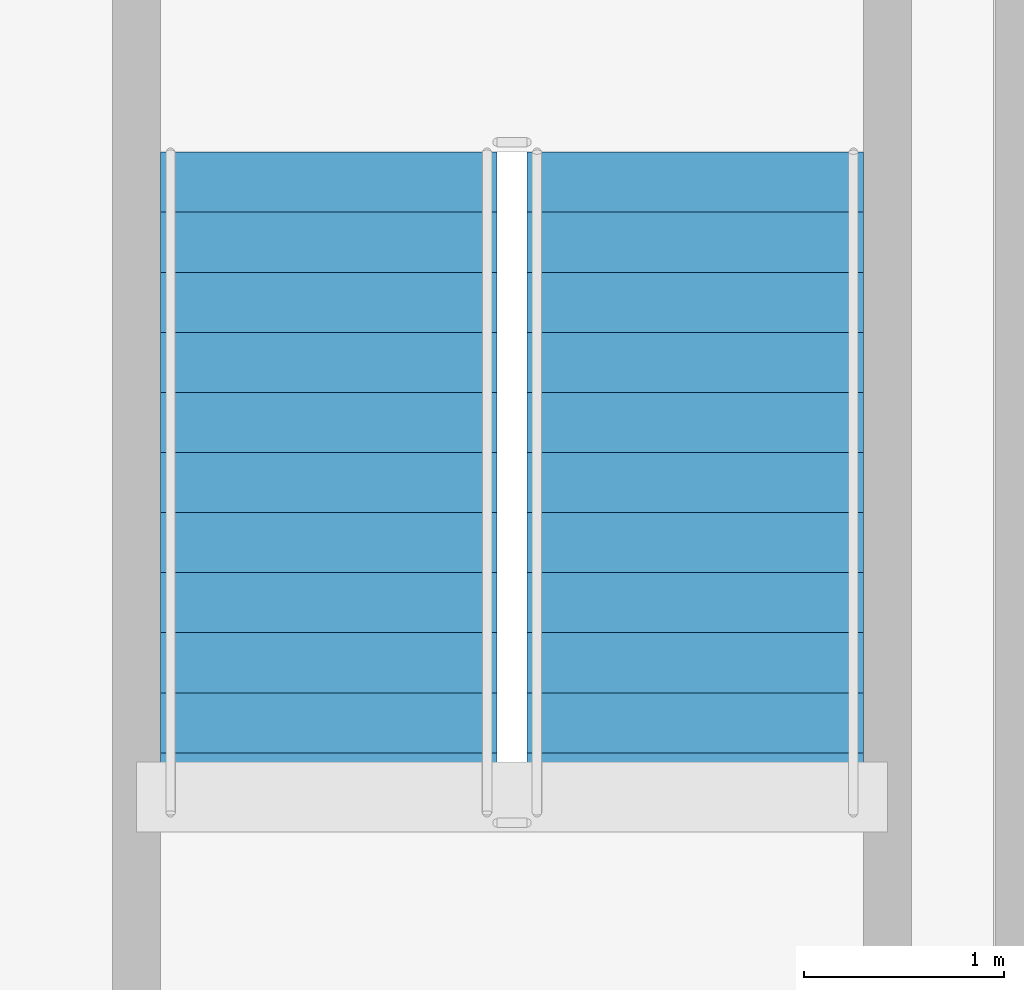
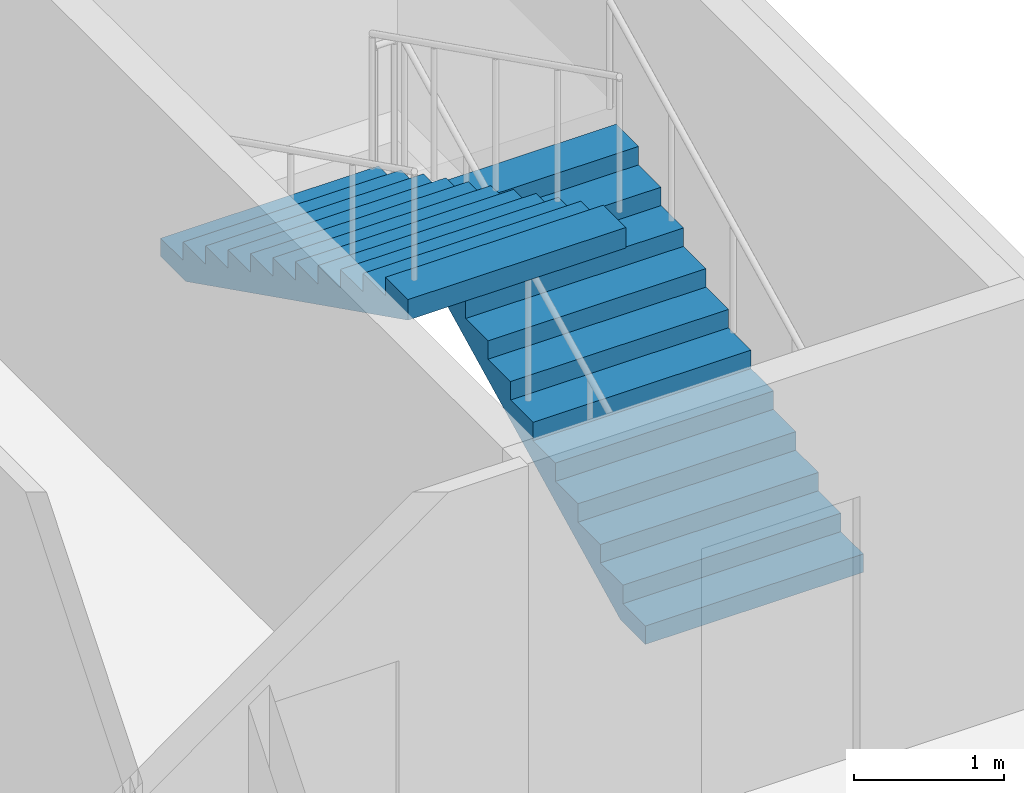
# One storey, part 14 of 16: 2 stair flights, 1 element without a shape of its own.
"""IFC4 building model written with IfcOpenShell, lengths in metres."""

from ifc_helpers import new_model, si_unit, direction, frame, origin, place, context, subcontext, project, spatial, polyline, outline, extrude, material, type_object, element, aggregate, save


model = new_model("IFC4")

# Units and contexts
model_context = context("Model", 3, precision=1e-05, world=origin(), true_north=direction((0.0, 1.0)))
body_context = subcontext(model_context, "Body", "Model", "MODEL_VIEW")
ifc_project = project(units=[si_unit("LENGTHUNIT", "METRE"), si_unit("AREAUNIT", "SQUARE_METRE"), si_unit("VOLUMEUNIT", "CUBIC_METRE"), si_unit("PLANEANGLEUNIT", "RADIAN"), si_unit("MASSUNIT", "GRAM", prefix="KILO")], contexts=[model_context])

# Site, building, storey
site_placement = place(None, origin())
site = spatial("IfcSite", under=ifc_project, at=site_placement, CompositionType="ELEMENT")
building_placement = place(site_placement, origin())
building = spatial("IfcBuilding", under=site, at=building_placement, Name="Yukiwa Park Conservatory and Herbarium", CompositionType="ELEMENT")
storey_placement = place(building_placement, frame((0.0, 0.0, 39.60009765625)))
storey = spatial("IfcBuildingStorey", under=building, at=storey_placement, Name="L10", CompositionType="ELEMENT", Elevation=39.60009765625)

# Stair, stair flights
ifc_material_1 = material(Name="Concrete C40", Category="concrete")
stair_type = type_object("IfcStairType", Name="ST-DOGLEG-ST-T3", PredefinedType="HALF_TURN_STAIR", material=ifc_material_1)
stair_placement = place(storey_placement, origin())
stair = element("IfcStair", 1, at=stair_placement, inside=storey, type_object=stair_type, Name="L10 Protected Smoke-Proof Stair ST-T3", PredefinedType="HALF_TURN_STAIR")
ifc_material_2 = material(Name="Concrete C40", Category="concrete")
stair_flight_type = type_object("IfcStairFlightType", Name="STF-RC-1680", PredefinedType="STRAIGHT", material=ifc_material_2)
stair_flight_1_placement = place(storey_placement, frame((166.360107421875, 108.3798828125, 0.0), z_axis=(0.0, 0.0, 1.0), x_axis=(0.0, 1.0, 0.0)))
stair_flight_1 = element("IfcStairFlight", 2, at=stair_flight_1_placement, type_object=stair_flight_type, Name="ST-T3 flight 1", NumberOfRisers=12, NumberOfTreads=11, PredefinedType="STRAIGHT", RiserHeight=0.15, TreadLength=0.3, context=body_context, shape_type="SweptSolid", body=[
    extrude(outline(polyline([(0.0, 0.0), (0.0, 0.14990234375), (0.300048828125, 0.14990234375), (0.300048828125, 0.300048828125), (0.60009765625, 0.300048828125), (0.60009765625, 0.449951171875), (0.89990234375, 0.449951171875), (0.89990234375, 0.60009765625), (1.199951171875, 0.60009765625), (1.199951171875, 0.75), (1.5, 0.75), (1.5, 0.89990234375), (1.800048828125, 0.89990234375), (1.800048828125, 1.050048828125), (2.10009765625, 1.050048828125), (2.10009765625, 1.199951171875), (2.39990234375, 1.199951171875), (2.39990234375, 1.35009765625), (2.699951171875, 1.35009765625), (2.699951171875, 1.5), (3.0, 1.5), (3.0, 1.64990234375), (3.300048828125, 1.64990234375), (3.300048828125, 1.800048828125), (3.300048828125, 1.482421875), (0.335205078125, 0.0), (0.0, 0.0)])), frame((0.0, 0.83984375, 0.0), z_axis=(0.0, -1.0, 0.0), x_axis=(1.0, 0.0, 0.0)), (0.0, 0.0, 1.0), 1.679931640625),
])
stair_flight_2_placement = place(storey_placement, frame((164.530029296875, 111.679931640625, 1.7998046875), z_axis=(0.0, 0.0, 1.0), x_axis=(0.0, -1.0, 0.0)))
stair_flight_2 = element("IfcStairFlight", 3, at=stair_flight_2_placement, type_object=stair_flight_type, Name="ST-T3 flight 2", NumberOfRisers=12, NumberOfTreads=11, PredefinedType="STRAIGHT", RiserHeight=0.15, TreadLength=0.3, context=body_context, shape_type="SweptSolid", body=[
    extrude(outline(polyline([(0.0, 0.0), (0.0, 0.14990234375), (0.300048828125, 0.14990234375), (0.300048828125, 0.300048828125), (0.60009765625, 0.300048828125), (0.60009765625, 0.449951171875), (0.89990234375, 0.449951171875), (0.89990234375, 0.60009765625), (1.199951171875, 0.60009765625), (1.199951171875, 0.75), (1.5, 0.75), (1.5, 0.89990234375), (1.800048828125, 0.89990234375), (1.800048828125, 1.050048828125), (2.10009765625, 1.050048828125), (2.10009765625, 1.199951171875), (2.39990234375, 1.199951171875), (2.39990234375, 1.35009765625), (2.699951171875, 1.35009765625), (2.699951171875, 1.5), (3.0, 1.5), (3.0, 1.64990234375), (3.300048828125, 1.64990234375), (3.300048828125, 1.800048828125), (3.300048828125, 1.482421875), (0.335205078125, 0.0), (0.0, 0.0)])), frame((0.0, 0.83984375, 0.0), z_axis=(0.0, -1.0, 0.0), x_axis=(1.0, 0.0, 0.0)), (0.0, 0.0, 1.0), 1.679931640625),
])
aggregate(stair, [stair_flight_1, stair_flight_2])

save(model, "model.ifc")
